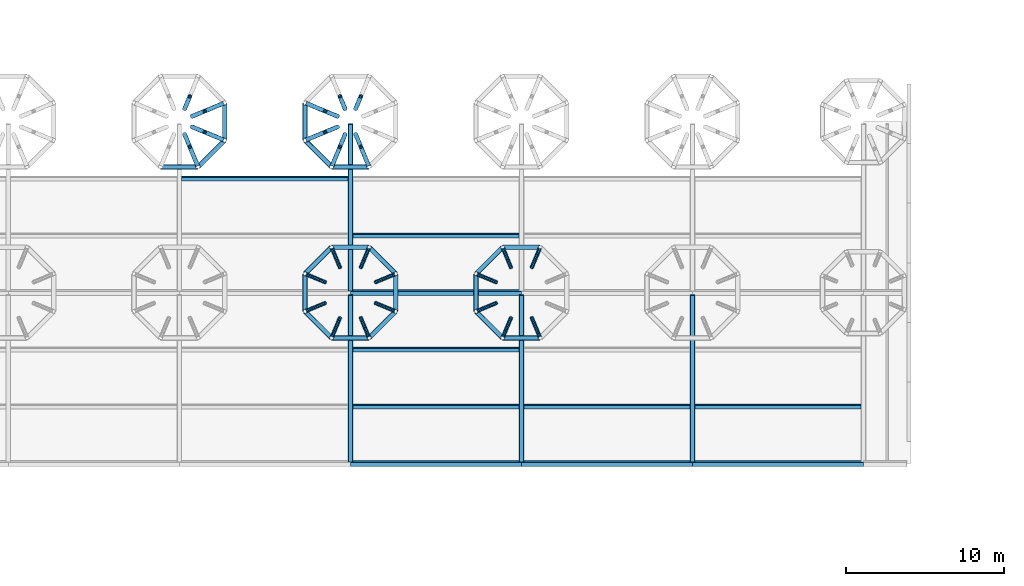
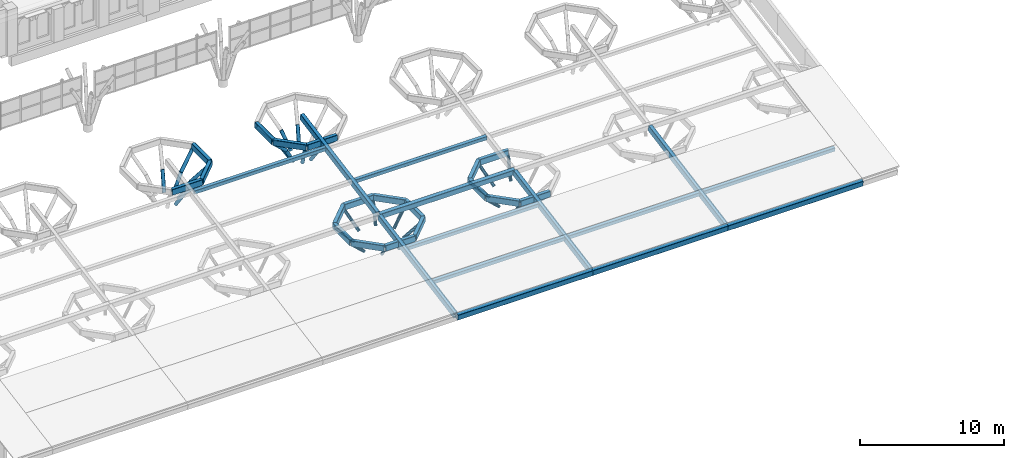
# One storey, part 4 of 42: 33 beams, 31 members.
"""IFC4 building model written with IfcOpenShell, lengths in metres."""

from ifc_helpers import new_model, si_unit, direction, frame, origin, origin_2d, place, context, subcontext, project, spatial, hollow_rectangle, hollow_circle, extrude, clip, halfspace, material, material_profile, profile_set, type_object, element, save


model = new_model("IFC4")

# Units and contexts
model_context = context("Model", 3, precision=1e-05, world=origin(), true_north=direction((0.0, 1.0)))
body_context = subcontext(model_context, "Body", "Model", "MODEL_VIEW")
ifc_project = project(units=[si_unit("LENGTHUNIT", "METRE"), si_unit("AREAUNIT", "SQUARE_METRE"), si_unit("VOLUMEUNIT", "CUBIC_METRE"), si_unit("PLANEANGLEUNIT", "RADIAN"), si_unit("MASSUNIT", "GRAM", prefix="KILO")], contexts=[model_context])

# Site, building, storey
site_placement = place(None, origin())
site = spatial("IfcSite", under=ifc_project, at=site_placement, CompositionType="ELEMENT")
building_placement = place(site_placement, origin())
building = spatial("IfcBuilding", under=site, at=building_placement, Name="Magnolia Steps Interchange", CompositionType="ELEMENT")
storey_placement = place(building_placement, frame((0.0, 0.0, 12.60009765625)))
storey = spatial("IfcBuildingStorey", under=building, at=storey_placement, Name="L03", CompositionType="ELEMENT", Elevation=12.60009765625)

# Beams
ifc_material_1 = material(Name="Steel Q355B", Category="steel")
ifc_material_profile_1 = material_profile(ifc_material_1, hollow_rectangle(XDim=0.300048828125, YDim=0.5, WallThickness=0.01611328125, InnerFilletRadius=0.01611328125, OuterFilletRadius=0.031982421875, at=origin_2d()), Name="RHS500x300x16")
ifc_profile_set_1 = profile_set([ifc_material_profile_1], Name="Steel Q355B")
beam_type_1 = type_object("IfcBeamType", Name="Ring beam RHS500x300x16", PredefinedType="BEAM", material=ifc_profile_set_1)
beam_1_placement = place(storey_placement, frame((73.61376953125, 71.93603515625, 3.4755859375), z_axis=(1.0, 0.0, 0.0), x_axis=(0.0, 1.0, 0.0)))
element("IfcBeam", 1, at=beam_1_placement, inside=storey, type_object=beam_type_1, Name="Ring beam TH03D", PredefinedType="BEAM", context=body_context, shape_type="Clipping", body=[
    clip(clip(extrude(hollow_rectangle(XDim=0.300048828125, YDim=0.5, WallThickness=0.01611328125, InnerFilletRadius=0.01611328125, OuterFilletRadius=0.031982421875, at=origin_2d()), origin(), (0.0, 0.0, 1.0), 2.37255859375), halfspace(frame((0.0, 0.0, 0.0), z_axis=(0.382683432, 0.0, -0.923879533), x_axis=(0.923879533, 0.0, 0.382683432)), False)), halfspace(frame((0.0, 0.0, 2.372558594), z_axis=(0.382683432, 0.0, 0.923879533), x_axis=(0.923879533, 0.0, -0.382683432)), False)),
])
beam_2_placement = place(storey_placement, frame((75.986328125, 71.93603515625, 3.4755859375), z_axis=(0.707106781187, 0.707106781187, 0.0), x_axis=(-0.707106781187, 0.707106781187, 0.0)))
element("IfcBeam", 2, at=beam_2_placement, inside=storey, type_object=beam_type_1, Name="Ring beam TH03D", PredefinedType="BEAM", context=body_context, shape_type="Clipping", body=[
    clip(clip(extrude(hollow_rectangle(XDim=0.300048828125, YDim=0.5, WallThickness=0.01611328125, InnerFilletRadius=0.01611328125, OuterFilletRadius=0.031982421875, at=origin_2d()), origin(), (0.0, 0.0, 1.0), 2.37255859375), halfspace(frame((0.0, 0.0, 0.0), z_axis=(0.382683433, 0.0, -0.923879532), x_axis=(0.923879532, 0.0, 0.382683433)), False)), halfspace(frame((0.0, 0.0, 2.372674707), z_axis=(0.382683433, 0.0, 0.923879532), x_axis=(0.923879532, 0.0, -0.382683433)), False)),
])
beam_3_placement = place(storey_placement, frame((77.6640625, 73.61376953125, 3.4755859375), z_axis=(0.0, 1.0, 0.0), x_axis=(-1.0, 0.0, 0.0)))
element("IfcBeam", 3, at=beam_3_placement, inside=storey, type_object=beam_type_1, Name="Ring beam TH03D", PredefinedType="BEAM", context=body_context, shape_type="Clipping", body=[
    clip(clip(extrude(hollow_rectangle(XDim=0.300048828125, YDim=0.5, WallThickness=0.01611328125, InnerFilletRadius=0.01611328125, OuterFilletRadius=0.031982421875, at=origin_2d()), origin(), (0.0, 0.0, 1.0), 2.37255859375), halfspace(frame((0.0, 0.0, 0.0), z_axis=(0.382683432, 0.0, -0.923879533), x_axis=(0.923879533, 0.0, 0.382683432)), False)), halfspace(frame((0.0, 0.0, 2.372558594), z_axis=(0.382683432, 0.0, 0.923879533), x_axis=(0.923879533, 0.0, -0.382683432)), False)),
])
beam_4_placement = place(storey_placement, frame((88.464111328125, 65.186279296875, 1.5), z_axis=(-0.707106781187, 0.707106781187, 0.0), x_axis=(-0.707106781187, -0.707106781187, 0.0)))
element("IfcBeam", 4, at=beam_4_placement, inside=storey, type_object=beam_type_1, Name="Ring beam TH04C", PredefinedType="BEAM", context=body_context, shape_type="Clipping", body=[
    clip(clip(extrude(hollow_rectangle(XDim=0.300048828125, YDim=0.5, WallThickness=0.01611328125, InnerFilletRadius=0.01611328125, OuterFilletRadius=0.031982421875, at=origin_2d()), origin(), (0.0, 0.0, 1.0), 2.37255859375), halfspace(frame((0.0, 0.0, 0.0), z_axis=(0.382683433, 0.0, -0.923879532), x_axis=(0.923879532, 0.0, 0.382683433)), False)), halfspace(frame((0.0, 0.0, 2.372674707), z_axis=(0.382683433, 0.0, 0.923879532), x_axis=(0.923879532, 0.0, -0.382683433)), False)),
])
beam_5_placement = place(storey_placement, frame((86.786376953125, 66.864013671875, 1.5), z_axis=(-1.0, 0.0, 0.0), x_axis=(0.0, -1.0, 0.0)))
element("IfcBeam", 5, at=beam_5_placement, inside=storey, type_object=beam_type_1, Name="Ring beam TH04C", PredefinedType="BEAM", context=body_context, shape_type="Clipping", body=[
    clip(clip(extrude(hollow_rectangle(XDim=0.300048828125, YDim=0.5, WallThickness=0.01611328125, InnerFilletRadius=0.01611328125, OuterFilletRadius=0.031982421875, at=origin_2d()), origin(), (0.0, 0.0, 1.0), 2.37255859375), halfspace(frame((0.0, 0.0, 0.0), z_axis=(0.382683432, 0.0, -0.923879533), x_axis=(0.923879533, 0.0, 0.382683432)), False)), halfspace(frame((0.0, 0.0, 2.372558594), z_axis=(0.382683432, 0.0, 0.923879533), x_axis=(0.923879533, 0.0, -0.382683432)), False)),
])
beam_6_placement = place(storey_placement, frame((84.413818359375, 66.864013671875, 1.5), z_axis=(-0.707106781187, -0.707106781187, 0.0), x_axis=(0.707106781187, -0.707106781187, 0.0)))
element("IfcBeam", 6, at=beam_6_placement, inside=storey, type_object=beam_type_1, Name="Ring beam TH04C", PredefinedType="BEAM", context=body_context, shape_type="Clipping", body=[
    clip(clip(extrude(hollow_rectangle(XDim=0.300048828125, YDim=0.5, WallThickness=0.01611328125, InnerFilletRadius=0.01611328125, OuterFilletRadius=0.031982421875, at=origin_2d()), origin(), (0.0, 0.0, 1.0), 2.37255859375), halfspace(frame((0.0, 0.0, 0.0), z_axis=(0.382683433, 0.0, -0.923879532), x_axis=(0.923879532, 0.0, 0.382683433)), False)), halfspace(frame((0.0, 0.0, 2.372674707), z_axis=(0.382683433, 0.0, 0.923879532), x_axis=(0.923879532, 0.0, -0.382683433)), False)),
])
beam_7_placement = place(storey_placement, frame((82.736083984375, 65.186279296875, 1.5), z_axis=(0.0, -1.0, 0.0), x_axis=(1.0, 0.0, 0.0)))
element("IfcBeam", 7, at=beam_7_placement, inside=storey, type_object=beam_type_1, Name="Ring beam TH04C", PredefinedType="BEAM", context=body_context, shape_type="Clipping", body=[
    clip(clip(extrude(hollow_rectangle(XDim=0.300048828125, YDim=0.5, WallThickness=0.01611328125, InnerFilletRadius=0.01611328125, OuterFilletRadius=0.031982421875, at=origin_2d()), origin(), (0.0, 0.0, 1.0), 2.37255859375), halfspace(frame((0.0, 0.0, 0.0), z_axis=(0.382683432, 0.0, -0.923879533), x_axis=(0.923879533, 0.0, 0.382683432)), False)), halfspace(frame((0.0, 0.0, 2.372558594), z_axis=(0.382683432, 0.0, 0.923879533), x_axis=(0.923879533, 0.0, -0.382683432)), False)),
])
beam_8_placement = place(storey_placement, frame((82.736083984375, 62.813720703125, 1.5), z_axis=(0.707106781187, -0.707106781187, 0.0), x_axis=(0.707106781187, 0.707106781187, 0.0)))
element("IfcBeam", 8, at=beam_8_placement, inside=storey, type_object=beam_type_1, Name="Ring beam TH04C", PredefinedType="BEAM", context=body_context, shape_type="Clipping", body=[
    clip(clip(extrude(hollow_rectangle(XDim=0.300048828125, YDim=0.5, WallThickness=0.01611328125, InnerFilletRadius=0.01611328125, OuterFilletRadius=0.031982421875, at=origin_2d()), origin(), (0.0, 0.0, 1.0), 2.37255859375), halfspace(frame((0.0, 0.0, 0.0), z_axis=(0.382683433, 0.0, -0.923879532), x_axis=(0.923879532, 0.0, 0.382683433)), False)), halfspace(frame((0.0, 0.0, 2.372674707), z_axis=(0.382683433, 0.0, 0.923879532), x_axis=(0.923879532, 0.0, -0.382683433)), False)),
])
beam_9_placement = place(storey_placement, frame((84.413818359375, 61.135986328125, 1.5), z_axis=(1.0, 0.0, 0.0), x_axis=(0.0, 1.0, 0.0)))
element("IfcBeam", 9, at=beam_9_placement, inside=storey, type_object=beam_type_1, Name="Ring beam TH04C", PredefinedType="BEAM", context=body_context, shape_type="Clipping", body=[
    clip(clip(extrude(hollow_rectangle(XDim=0.300048828125, YDim=0.5, WallThickness=0.01611328125, InnerFilletRadius=0.01611328125, OuterFilletRadius=0.031982421875, at=origin_2d()), origin(), (0.0, 0.0, 1.0), 2.37255859375), halfspace(frame((0.0, 0.0, 0.0), z_axis=(0.382683432, 0.0, -0.923879533), x_axis=(0.923879533, 0.0, 0.382683432)), False)), halfspace(frame((0.0, 0.0, 2.372558594), z_axis=(0.382683432, 0.0, 0.923879533), x_axis=(0.923879533, 0.0, -0.382683432)), False)),
])
beam_10_placement = place(storey_placement, frame((86.786376953125, 61.135986328125, 1.5), z_axis=(0.707106781187, 0.707106781187, 0.0), x_axis=(-0.707106781187, 0.707106781187, 0.0)))
element("IfcBeam", 10, at=beam_10_placement, inside=storey, type_object=beam_type_1, Name="Ring beam TH04C", PredefinedType="BEAM", context=body_context, shape_type="Clipping", body=[
    clip(clip(extrude(hollow_rectangle(XDim=0.300048828125, YDim=0.5, WallThickness=0.01611328125, InnerFilletRadius=0.01611328125, OuterFilletRadius=0.031982421875, at=origin_2d()), origin(), (0.0, 0.0, 1.0), 2.37255859375), halfspace(frame((0.0, 0.0, 0.0), z_axis=(0.382683433, 0.0, -0.923879532), x_axis=(0.923879532, 0.0, 0.382683433)), False)), halfspace(frame((0.0, 0.0, 2.372674707), z_axis=(0.382683433, 0.0, 0.923879532), x_axis=(0.923879532, 0.0, -0.382683433)), False)),
])
for number, where, z_axis, x_axis, name in (
    (11, (88.464111328125, 62.813720703125, 1.5), (0.0, 1.0, 0.0), (-1.0, 0.0, 0.0), "Ring beam TH04C"),
    (12, (82.736083984375, 75.986328125, 3.4755859375), (0.0, -1.0, 0.0), (1.0, 0.0, 0.0), "Ring beam TH04D"),
):
    element("IfcBeam", number, at=place(storey_placement, frame(where, z_axis=z_axis, x_axis=x_axis)), inside=storey, type_object=beam_type_1, Name=name, PredefinedType="BEAM", context=body_context, shape_type="Clipping", body=[
        clip(clip(extrude(hollow_rectangle(XDim=0.300048828125, YDim=0.5, WallThickness=0.01611328125, InnerFilletRadius=0.01611328125, OuterFilletRadius=0.031982421875, at=origin_2d()), origin(), (0.0, 0.0, 1.0), 2.37255859375), halfspace(frame((0.0, 0.0, 0.0), z_axis=(0.382683432, 0.0, -0.923879533), x_axis=(0.923879533, 0.0, 0.382683432)), False)), halfspace(frame((0.0, 0.0, 2.372558594), z_axis=(0.382683432, 0.0, 0.923879533), x_axis=(0.923879533, 0.0, -0.382683432)), False)),
    ])
beam_11_placement = place(storey_placement, frame((82.736083984375, 73.61376953125, 3.4755859375), z_axis=(0.707106781187, -0.707106781187, 0.0), x_axis=(0.707106781187, 0.707106781187, 0.0)))
element("IfcBeam", 13, at=beam_11_placement, inside=storey, type_object=beam_type_1, Name="Ring beam TH04D", PredefinedType="BEAM", context=body_context, shape_type="Clipping", body=[
    clip(clip(extrude(hollow_rectangle(XDim=0.300048828125, YDim=0.5, WallThickness=0.01611328125, InnerFilletRadius=0.01611328125, OuterFilletRadius=0.031982421875, at=origin_2d()), origin(), (0.0, 0.0, 1.0), 2.37255859375), halfspace(frame((0.0, 0.0, 0.0), z_axis=(0.382683433, 0.0, -0.923879532), x_axis=(0.923879532, 0.0, 0.382683433)), False)), halfspace(frame((0.0, 0.0, 2.372674707), z_axis=(0.382683433, 0.0, 0.923879532), x_axis=(0.923879532, 0.0, -0.382683433)), False)),
])
for number, where, z_axis, x_axis, name in (
    (14, (84.413818359375, 71.93603515625, 3.4755859375), (1.0, 0.0, 0.0), (0.0, 1.0, 0.0), "Ring beam TH04D"),
    (15, (97.586181640625, 66.864013671875, 1.5), (-1.0, 0.0, 0.0), (0.0, -1.0, 0.0), "Ring beam TH05C"),
):
    element("IfcBeam", number, at=place(storey_placement, frame(where, z_axis=z_axis, x_axis=x_axis)), inside=storey, type_object=beam_type_1, Name=name, PredefinedType="BEAM", context=body_context, shape_type="Clipping", body=[
        clip(clip(extrude(hollow_rectangle(XDim=0.300048828125, YDim=0.5, WallThickness=0.01611328125, InnerFilletRadius=0.01611328125, OuterFilletRadius=0.031982421875, at=origin_2d()), origin(), (0.0, 0.0, 1.0), 2.37255859375), halfspace(frame((0.0, 0.0, 0.0), z_axis=(0.382683432, 0.0, -0.923879533), x_axis=(0.923879533, 0.0, 0.382683432)), False)), halfspace(frame((0.0, 0.0, 2.372558594), z_axis=(0.382683432, 0.0, 0.923879533), x_axis=(0.923879533, 0.0, -0.382683432)), False)),
    ])
beam_12_placement = place(storey_placement, frame((95.213623046875, 66.864013671875, 1.5), z_axis=(-0.707106781187, -0.707106781187, 0.0), x_axis=(0.707106781187, -0.707106781187, 0.0)))
element("IfcBeam", 16, at=beam_12_placement, inside=storey, type_object=beam_type_1, Name="Ring beam TH05C", PredefinedType="BEAM", context=body_context, shape_type="Clipping", body=[
    clip(clip(extrude(hollow_rectangle(XDim=0.300048828125, YDim=0.5, WallThickness=0.01611328125, InnerFilletRadius=0.01611328125, OuterFilletRadius=0.031982421875, at=origin_2d()), origin(), (0.0, 0.0, 1.0), 2.37255859375), halfspace(frame((0.0, 0.0, 0.0), z_axis=(0.382683433, 0.0, -0.923879532), x_axis=(0.923879532, 0.0, 0.382683433)), False)), halfspace(frame((0.0, 0.0, 2.372674707), z_axis=(0.382683433, 0.0, 0.923879532), x_axis=(0.923879532, 0.0, -0.382683433)), False)),
])
beam_13_placement = place(storey_placement, frame((93.535888671875, 65.186279296875, 1.5), z_axis=(0.0, -1.0, 0.0), x_axis=(1.0, 0.0, 0.0)))
element("IfcBeam", 17, at=beam_13_placement, inside=storey, type_object=beam_type_1, Name="Ring beam TH05C", PredefinedType="BEAM", context=body_context, shape_type="Clipping", body=[
    clip(clip(extrude(hollow_rectangle(XDim=0.300048828125, YDim=0.5, WallThickness=0.01611328125, InnerFilletRadius=0.01611328125, OuterFilletRadius=0.031982421875, at=origin_2d()), origin(), (0.0, 0.0, 1.0), 2.37255859375), halfspace(frame((0.0, 0.0, 0.0), z_axis=(0.382683432, 0.0, -0.923879533), x_axis=(0.923879533, 0.0, 0.382683432)), False)), halfspace(frame((0.0, 0.0, 2.372558594), z_axis=(0.382683432, 0.0, 0.923879533), x_axis=(0.923879533, 0.0, -0.382683432)), False)),
])
beam_14_placement = place(storey_placement, frame((93.535888671875, 62.813720703125, 1.5), z_axis=(0.707106781187, -0.707106781187, 0.0), x_axis=(0.707106781187, 0.707106781187, 0.0)))
element("IfcBeam", 18, at=beam_14_placement, inside=storey, type_object=beam_type_1, Name="Ring beam TH05C", PredefinedType="BEAM", context=body_context, shape_type="Clipping", body=[
    clip(clip(extrude(hollow_rectangle(XDim=0.300048828125, YDim=0.5, WallThickness=0.01611328125, InnerFilletRadius=0.01611328125, OuterFilletRadius=0.031982421875, at=origin_2d()), origin(), (0.0, 0.0, 1.0), 2.37255859375), halfspace(frame((0.0, 0.0, 0.0), z_axis=(0.382683433, 0.0, -0.923879532), x_axis=(0.923879532, 0.0, 0.382683433)), False)), halfspace(frame((0.0, 0.0, 2.372674707), z_axis=(0.382683433, 0.0, 0.923879532), x_axis=(0.923879532, 0.0, -0.382683433)), False)),
])
beam_15_placement = place(storey_placement, frame((95.213623046875, 61.135986328125, 1.5), z_axis=(1.0, 0.0, 0.0), x_axis=(0.0, 1.0, 0.0)))
element("IfcBeam", 19, at=beam_15_placement, inside=storey, type_object=beam_type_1, Name="Ring beam TH05C", PredefinedType="BEAM", context=body_context, shape_type="Clipping", body=[
    clip(clip(extrude(hollow_rectangle(XDim=0.300048828125, YDim=0.5, WallThickness=0.01611328125, InnerFilletRadius=0.01611328125, OuterFilletRadius=0.031982421875, at=origin_2d()), origin(), (0.0, 0.0, 1.0), 2.37255859375), halfspace(frame((0.0, 0.0, 0.0), z_axis=(0.382683432, 0.0, -0.923879533), x_axis=(0.923879533, 0.0, 0.382683432)), False)), halfspace(frame((0.0, 0.0, 2.372558594), z_axis=(0.382683432, 0.0, 0.923879533), x_axis=(0.923879533, 0.0, -0.382683432)), False)),
])
ifc_material_2 = material(Name="Steel Q355B", Category="steel")
ifc_material_profile_2 = material_profile(ifc_material_2, hollow_rectangle(XDim=0.300048828125, YDim=0.5, WallThickness=0.01611328125, InnerFilletRadius=0.01611328125, OuterFilletRadius=0.031982421875, at=origin_2d()), Name="RHS500x300x16")
ifc_profile_set_2 = profile_set([ifc_material_profile_2], Name="Steel Q355B")
beam_type_2 = type_object("IfcBeamType", Name="Roof beam RHS500x300x16", PredefinedType="BEAM", material=ifc_profile_set_2)
beam_16_placement = place(storey_placement, frame((85.60009765625, 53.199951171875, 0.068603515625), z_axis=(1.0, 0.0, 0.0), x_axis=(0.0, 0.98367737698, 0.17994115154)))
element("IfcBeam", 20, at=beam_16_placement, inside=storey, type_object=beam_type_2, Name="Roof beam", PredefinedType="BEAM", context=body_context, shape_type="SweptSolid", body=[
    extrude(hollow_rectangle(XDim=0.300048828125, YDim=0.5, WallThickness=0.01611328125, InnerFilletRadius=0.01611328125, OuterFilletRadius=0.031982421875, at=origin_2d()), origin(), (0.0, 0.0, 1.0), 10.7998046875),
])
for number, where, z_axis, x_axis, name in (
    (21, (96.39990234375, 53.199951171875, 0.068603515625), (1.0, 0.0, 0.0), (0.0, 0.98367737698, 0.17994115154), "Roof beam"),
    (22, (107.199951171875, 53.199951171875, 0.068603515625), (1.0, 0.0, 0.0), (0.0, 0.98367737698, 0.17994115154), "Roof beam"),
):
    element("IfcBeam", number, at=place(storey_placement, frame(where, z_axis=z_axis, x_axis=x_axis)), inside=storey, type_object=beam_type_2, Name=name, PredefinedType="BEAM", context=body_context, shape_type="SweptSolid", body=[
        extrude(hollow_rectangle(XDim=0.300048828125, YDim=0.5, WallThickness=0.01611328125, InnerFilletRadius=0.01611328125, OuterFilletRadius=0.031982421875, at=origin_2d()), origin(), (0.0, 0.0, 1.0), 10.800048828125),
    ])
beam_17_placement = place(storey_placement, frame((85.60009765625, 64.0, 2.044189453125), z_axis=(1.0, 0.0, 0.0), x_axis=(0.0, 0.98367737698, 0.17994115154)))
element("IfcBeam", 23, at=beam_17_placement, inside=storey, type_object=beam_type_2, Name="Roof beam", PredefinedType="BEAM", context=body_context, shape_type="SweptSolid", body=[
    extrude(hollow_rectangle(XDim=0.300048828125, YDim=0.5, WallThickness=0.01611328125, InnerFilletRadius=0.01611328125, OuterFilletRadius=0.031982421875, at=origin_2d()), origin(), (0.0, 0.0, 1.0), 10.7998046875),
])
for number, where, z_axis, x_axis, name in (
    (24, (85.60009765625, 53.35009765625, 0.095947265625), (0.0, 0.983678690331, 0.179933971746), (-1.0, 0.0, 0.0), "Roof beam"),
    (25, (85.60009765625, 64.14990234375, 2.071533203125), (0.0, 0.983678690331, 0.179933971746), (-1.0, 0.0, 0.0), "Roof beam"),
    (26, (96.39990234375, 53.35009765625, 0.095947265625), (0.0, 0.983678690331, 0.179933971746), (-1.0, 0.0, 0.0), "Roof beam"),
    (27, (107.199951171875, 53.35009765625, 0.095947265625), (0.0, 0.983678690331, 0.179933971746), (-1.0, 0.0, 0.0), "Roof beam"),
):
    element("IfcBeam", number, at=place(storey_placement, frame(where, z_axis=z_axis, x_axis=x_axis)), inside=storey, type_object=beam_type_2, Name=name, PredefinedType="BEAM", context=body_context, shape_type="SweptSolid", body=[
        extrude(hollow_rectangle(XDim=0.300048828125, YDim=0.5, WallThickness=0.01611328125, InnerFilletRadius=0.01611328125, OuterFilletRadius=0.031982421875, at=origin_2d()), origin(), (0.0, 0.0, 1.0), 10.67431640625),
    ])
ifc_material_3 = material(Name="Steel Q355B", Category="steel")
ifc_material_profile_3 = material_profile(ifc_material_3, hollow_rectangle(XDim=0.25, YDim=0.35009765625, WallThickness=0.011962890625, InnerFilletRadius=0.011962890625, OuterFilletRadius=0.02392578125, at=origin_2d()), Name="RHS350x250x12")
ifc_profile_set_3 = profile_set([ifc_material_profile_3], Name="Steel Q355B")
beam_type_3 = type_object("IfcBeamType", Name="Roof joist RHS350x250x12", PredefinedType="BEAM", material=ifc_profile_set_3)
for number, where, z_axis, x_axis, name in (
    (28, (85.75, 56.800048828125, 0.80322265625), (1.0, 0.0, 0.0), (0.0, 0.98367737698, 0.17994115154), "Roof joist"),
    (29, (96.550048828125, 56.800048828125, 0.80322265625), (1.0, 0.0, 0.0), (0.0, 0.98367737698, 0.17994115154), "Roof joist"),
    (30, (107.35009765625, 56.800048828125, 0.80322265625), (1.0, 0.0, 0.0), (0.0, 0.98367737698, 0.17994115154), "Roof joist"),
    (31, (85.75, 60.39990234375, 1.4619140625), (1.0, 0.0, 0.0), (0.0, 0.98367737698, 0.17994115154), "Roof joist"),
    (32, (85.75, 67.60009765625, 2.77880859375), (1.0, 0.0, 0.0), (0.0, 0.98367737698, 0.17994115154), "Roof joist"),
    (33, (74.949951171875, 71.199951171875, 3.4375), (1.0, 0.0, 0.0), (0.0, 0.98367737698, 0.17994115154), "Roof joist"),
):
    element("IfcBeam", number, at=place(storey_placement, frame(where, z_axis=z_axis, x_axis=x_axis)), inside=storey, type_object=beam_type_3, Name=name, PredefinedType="BEAM", context=body_context, shape_type="SweptSolid", body=[
        extrude(hollow_rectangle(XDim=0.25, YDim=0.35009765625, WallThickness=0.011962890625, InnerFilletRadius=0.011962890625, OuterFilletRadius=0.02392578125, at=origin_2d()), origin(), (0.0, 0.0, 1.0), 10.5),
    ])

# Members
ifc_material_4 = material(Name="Steel Q355B", Category="steel")
ifc_material_profile_4 = material_profile(ifc_material_4, hollow_circle(Radius=0.12255859375, WallThickness=0.011962890625, at=origin_2d()), Name="CHS245x12")
ifc_profile_set_4 = profile_set([ifc_material_profile_4], Name="Steel Q355B")
member_type_1 = type_object("IfcMemberType", Name="Tree rib CHS245x12", PredefinedType="USERDEFINED", material=ifc_profile_set_4)
for number, where, z_axis, x_axis, name in (
    (34, (87.18310546875, 64.65576171875, 0.010986328125), (0.664618271493, 0.27524595082, 0.694638193418), (-0.382626535499, 0.923903097912, 0.0), "Tree rib TH04C"),
    (35, (86.255615234375, 65.5830078125, 0.010986328125), (0.275363014751, 0.664595095858, 0.694613970971), (-0.923840843106, 0.382776823501, 0.0), "Tree rib TH04C"),
    (36, (84.9443359375, 65.5830078125, 0.010986328125), (-0.27524595082, 0.664618271493, 0.694638193418), (-0.923903097912, -0.382626535499, 0.0), "Tree rib TH04C"),
    (37, (84.01708984375, 64.65576171875, 0.010986328125), (-0.664618271493, 0.27524595082, 0.694638193418), (-0.382626535499, -0.923903097912, 0.0), "Tree rib TH04C"),
    (38, (84.01708984375, 63.34423828125, 0.010986328125), (-0.664618271493, -0.27524595082, 0.694638193418), (0.382626535499, -0.923903097912, 0.0), "Tree rib TH04C"),
    (39, (84.9443359375, 62.4169921875, 0.010986328125), (-0.27524595082, -0.664618271493, 0.694638193418), (0.923903097912, -0.382626535499, 0.0), "Tree rib TH04C"),
    (40, (86.255615234375, 62.4169921875, 0.010986328125), (0.275363014751, -0.664595095858, 0.694613970971), (0.923840843106, 0.382776823501, 0.0), "Tree rib TH04C"),
    (41, (87.18310546875, 63.34423828125, 0.010986328125), (0.664618271493, -0.27524595082, 0.694638193418), (0.382626535499, 0.923903097912, 0.0), "Tree rib TH04C"),
    (42, (97.0556640625, 65.5830078125, 0.010986328125), (0.27524595082, 0.664618271493, 0.694638193418), (-0.923903097912, 0.382626535499, 0.0), "Tree rib TH05C"),
    (43, (95.744384765625, 65.5830078125, 0.010986328125), (-0.275363014751, 0.664595095858, 0.694613970971), (-0.923840843106, -0.382776823501, 0.0), "Tree rib TH05C"),
    (44, (94.81689453125, 64.65576171875, 0.010986328125), (-0.664618271493, 0.27524595082, 0.694638193418), (-0.382626535499, -0.923903097912, 0.0), "Tree rib TH05C"),
    (45, (94.81689453125, 63.34423828125, 0.010986328125), (-0.664618271493, -0.27524595082, 0.694638193418), (0.382626535499, -0.923903097912, 0.0), "Tree rib TH05C"),
    (46, (95.744384765625, 62.4169921875, 0.010986328125), (-0.275363014751, -0.664595095858, 0.694613970971), (0.923840843106, -0.382776823501, 0.0), "Tree rib TH05C"),
    (47, (97.0556640625, 62.4169921875, 0.010986328125), (0.27524595082, -0.664618271493, 0.694638193418), (0.923903097912, 0.382626535499, 0.0), "Tree rib TH05C"),
):
    element("IfcMember", number, at=place(storey_placement, frame(where, z_axis=z_axis, x_axis=x_axis)), inside=storey, type_object=member_type_1, Name=name, ObjectType="TREE RIB", PredefinedType="USERDEFINED", context=body_context, shape_type="SweptSolid", body=[
        extrude(hollow_circle(Radius=0.12255859375, WallThickness=0.011962890625, at=origin_2d()), origin(), (0.0, 0.0, 1.0), 1.927490234375),
    ])
ifc_material_5 = material(Name="Steel Q355B", Category="steel")
ifc_material_profile_5 = material_profile(ifc_material_5, hollow_circle(Radius=0.136474609375, WallThickness=0.013916015625, at=origin_2d()), Name="CHS273x14")
ifc_profile_set_5 = profile_set([ifc_material_profile_5], Name="Steel Q355B")
member_type_2 = type_object("IfcMemberType", Name="Tree rib CHS273x14", PredefinedType="USERDEFINED", material=ifc_profile_set_5)
member_1_placement = place(storey_placement, frame((75.603271484375, 75.1328125, 0.62646484375), z_axis=(0.489585971714, 0.202675633104, 0.848073206773), x_axis=(-0.382494123671, 0.923957924019, 0.0)))
element("IfcMember", 48, at=member_1_placement, inside=storey, type_object=member_type_2, Name="Tree rib TH03D", ObjectType="TREE RIB", PredefinedType="USERDEFINED", context=body_context, shape_type="SweptSolid", body=[
    extrude(hollow_circle(Radius=0.136474609375, WallThickness=0.013916015625, at=origin_2d()), origin(), (0.0, 0.0, 1.0), 1.6201171875),
])
member_2_placement = place(storey_placement, frame((76.396484375, 75.461181640625, 2.00048828125), z_axis=(0.664571439163, 0.275326110485, 0.694651232731), x_axis=(-0.382744666971, 0.923854165929, 0.0)))
element("IfcMember", 49, at=member_2_placement, inside=storey, type_object=member_type_2, Name="Tree rib TH03D", ObjectType="TREE RIB", PredefinedType="USERDEFINED", context=body_context, shape_type="SweptSolid", body=[
    extrude(hollow_circle(Radius=0.136474609375, WallThickness=0.013916015625, at=origin_2d()), origin(), (0.0, 0.0, 1.0), 1.907470703125),
])
for number, where, z_axis, x_axis, name in (
    (50, (75.1328125, 75.603271484375, 0.62646484375), (0.202675633104, 0.489585971714, 0.848073206773), (-0.923957924019, 0.382494123671, 0.0), "Tree rib TH03D"),
    (51, (75.1328125, 73.996826171875, 0.62646484375), (0.202675633104, -0.489585971714, 0.848073206773), (0.923957924019, 0.382494123671, 0.0), "Tree rib TH03D"),
):
    element("IfcMember", number, at=place(storey_placement, frame(where, z_axis=z_axis, x_axis=x_axis)), inside=storey, type_object=member_type_2, Name=name, ObjectType="TREE RIB", PredefinedType="USERDEFINED", context=body_context, shape_type="SweptSolid", body=[
        extrude(hollow_circle(Radius=0.136474609375, WallThickness=0.013916015625, at=origin_2d()), origin(), (0.0, 0.0, 1.0), 1.6201171875),
    ])
member_3_placement = place(storey_placement, frame((75.461181640625, 73.20361328125, 2.00048828125), z_axis=(0.275326110485, -0.664571439163, 0.694651232731), x_axis=(0.923854165929, 0.382744666971, 0.0)))
element("IfcMember", 52, at=member_3_placement, inside=storey, type_object=member_type_2, Name="Tree rib TH03D", ObjectType="TREE RIB", PredefinedType="USERDEFINED", context=body_context, shape_type="SweptSolid", body=[
    extrude(hollow_circle(Radius=0.136474609375, WallThickness=0.013916015625, at=origin_2d()), origin(), (0.0, 0.0, 1.0), 1.907470703125),
])
member_4_placement = place(storey_placement, frame((75.603271484375, 74.46728515625, 0.62646484375), z_axis=(0.489571014481, -0.202820124805, 0.848047297475), x_axis=(0.382736860682, 0.923857399968, 0.0)))
element("IfcMember", 53, at=member_4_placement, inside=storey, type_object=member_type_2, Name="Tree rib TH03D", ObjectType="TREE RIB", PredefinedType="USERDEFINED", context=body_context, shape_type="SweptSolid", body=[
    extrude(hollow_circle(Radius=0.136474609375, WallThickness=0.013916015625, at=origin_2d()), origin(), (0.0, 0.0, 1.0), 1.6201171875),
])
member_5_placement = place(storey_placement, frame((76.396484375, 74.138671875, 2.00048828125), z_axis=(0.664594855451, -0.275207808016, 0.694675708885), x_axis=(0.382592780202, 0.923917076656, 0.0)))
element("IfcMember", 54, at=member_5_placement, inside=storey, type_object=member_type_2, Name="Tree rib TH03D", ObjectType="TREE RIB", PredefinedType="USERDEFINED", context=body_context, shape_type="SweptSolid", body=[
    extrude(hollow_circle(Radius=0.136474609375, WallThickness=0.013916015625, at=origin_2d()), origin(), (0.0, 0.0, 1.0), 1.9072265625),
])
for number, where, z_axis, x_axis, name in (
    (55, (85.9326171875, 75.603271484375, 0.62646484375), (0.202820124805, 0.489571014481, 0.848047297475), (-0.923857399968, 0.382736860682, 0.0), "Tree rib TH04D"),
    (56, (85.267333984375, 75.603271484375, 0.62646484375), (-0.202820124805, 0.489571014481, 0.848047297475), (-0.923857399968, -0.382736860682, 0.0), "Tree rib TH04D"),
    (57, (84.796875, 75.1328125, 0.62646484375), (-0.489585971714, 0.202675633104, 0.848073206773), (-0.382494123671, -0.923957924019, 0.0), "Tree rib TH04D"),
):
    element("IfcMember", number, at=place(storey_placement, frame(where, z_axis=z_axis, x_axis=x_axis)), inside=storey, type_object=member_type_2, Name=name, ObjectType="TREE RIB", PredefinedType="USERDEFINED", context=body_context, shape_type="SweptSolid", body=[
        extrude(hollow_circle(Radius=0.136474609375, WallThickness=0.013916015625, at=origin_2d()), origin(), (0.0, 0.0, 1.0), 1.6201171875),
    ])
member_6_placement = place(storey_placement, frame((84.003662109375, 75.461181640625, 2.00048828125), z_axis=(-0.664571439163, 0.275326110485, 0.694651232731), x_axis=(-0.382744666971, -0.923854165929, 0.0)))
element("IfcMember", 58, at=member_6_placement, inside=storey, type_object=member_type_2, Name="Tree rib TH04D", ObjectType="TREE RIB", PredefinedType="USERDEFINED", context=body_context, shape_type="SweptSolid", body=[
    extrude(hollow_circle(Radius=0.136474609375, WallThickness=0.013916015625, at=origin_2d()), origin(), (0.0, 0.0, 1.0), 1.907470703125),
])
member_7_placement = place(storey_placement, frame((84.796875, 74.46728515625, 0.62646484375), z_axis=(-0.489571014481, -0.202820124805, 0.848047297475), x_axis=(0.382736860682, -0.923857399968, 0.0)))
element("IfcMember", 59, at=member_7_placement, inside=storey, type_object=member_type_2, Name="Tree rib TH04D", ObjectType="TREE RIB", PredefinedType="USERDEFINED", context=body_context, shape_type="SweptSolid", body=[
    extrude(hollow_circle(Radius=0.136474609375, WallThickness=0.013916015625, at=origin_2d()), origin(), (0.0, 0.0, 1.0), 1.6201171875),
])
member_8_placement = place(storey_placement, frame((84.003662109375, 74.138671875, 2.00048828125), z_axis=(-0.664594855451, -0.275207808016, 0.694675708885), x_axis=(0.382592780202, -0.923917076656, 0.0)))
element("IfcMember", 60, at=member_8_placement, inside=storey, type_object=member_type_2, Name="Tree rib TH04D", ObjectType="TREE RIB", PredefinedType="USERDEFINED", context=body_context, shape_type="SweptSolid", body=[
    extrude(hollow_circle(Radius=0.136474609375, WallThickness=0.013916015625, at=origin_2d()), origin(), (0.0, 0.0, 1.0), 1.9072265625),
])
member_9_placement = place(storey_placement, frame((85.267333984375, 73.996826171875, 0.62646484375), z_axis=(-0.202820124805, -0.489571014481, 0.848047297475), x_axis=(0.923857399968, -0.382736860682, 0.0)))
element("IfcMember", 61, at=member_9_placement, inside=storey, type_object=member_type_2, Name="Tree rib TH04D", ObjectType="TREE RIB", PredefinedType="USERDEFINED", context=body_context, shape_type="SweptSolid", body=[
    extrude(hollow_circle(Radius=0.136474609375, WallThickness=0.013916015625, at=origin_2d()), origin(), (0.0, 0.0, 1.0), 1.6201171875),
])
member_10_placement = place(storey_placement, frame((84.938720703125, 73.20361328125, 2.00048828125), z_axis=(-0.275207808016, -0.664594855451, 0.694675708885), x_axis=(0.923917076656, -0.382592780202, 0.0)))
element("IfcMember", 62, at=member_10_placement, inside=storey, type_object=member_type_2, Name="Tree rib TH04D", ObjectType="TREE RIB", PredefinedType="USERDEFINED", context=body_context, shape_type="SweptSolid", body=[
    extrude(hollow_circle(Radius=0.136474609375, WallThickness=0.013916015625, at=origin_2d()), origin(), (0.0, 0.0, 1.0), 1.9072265625),
])
member_11_placement = place(storey_placement, frame((85.9326171875, 73.996826171875, 0.62646484375), z_axis=(0.202820124805, -0.489571014481, 0.848047297475), x_axis=(0.923857399968, 0.382736860682, 0.0)))
element("IfcMember", 63, at=member_11_placement, inside=storey, type_object=member_type_2, Name="Tree rib TH04D", ObjectType="TREE RIB", PredefinedType="USERDEFINED", context=body_context, shape_type="SweptSolid", body=[
    extrude(hollow_circle(Radius=0.136474609375, WallThickness=0.013916015625, at=origin_2d()), origin(), (0.0, 0.0, 1.0), 1.6201171875),
])
member_12_placement = place(storey_placement, frame((86.26123046875, 73.20361328125, 2.00048828125), z_axis=(0.275326110485, -0.664571439163, 0.694651232731), x_axis=(0.923854165929, 0.382744666971, 0.0)))
element("IfcMember", 64, at=member_12_placement, inside=storey, type_object=member_type_2, Name="Tree rib TH04D", ObjectType="TREE RIB", PredefinedType="USERDEFINED", context=body_context, shape_type="SweptSolid", body=[
    extrude(hollow_circle(Radius=0.136474609375, WallThickness=0.013916015625, at=origin_2d()), origin(), (0.0, 0.0, 1.0), 1.907470703125),
])

save(model, "model.ifc")
